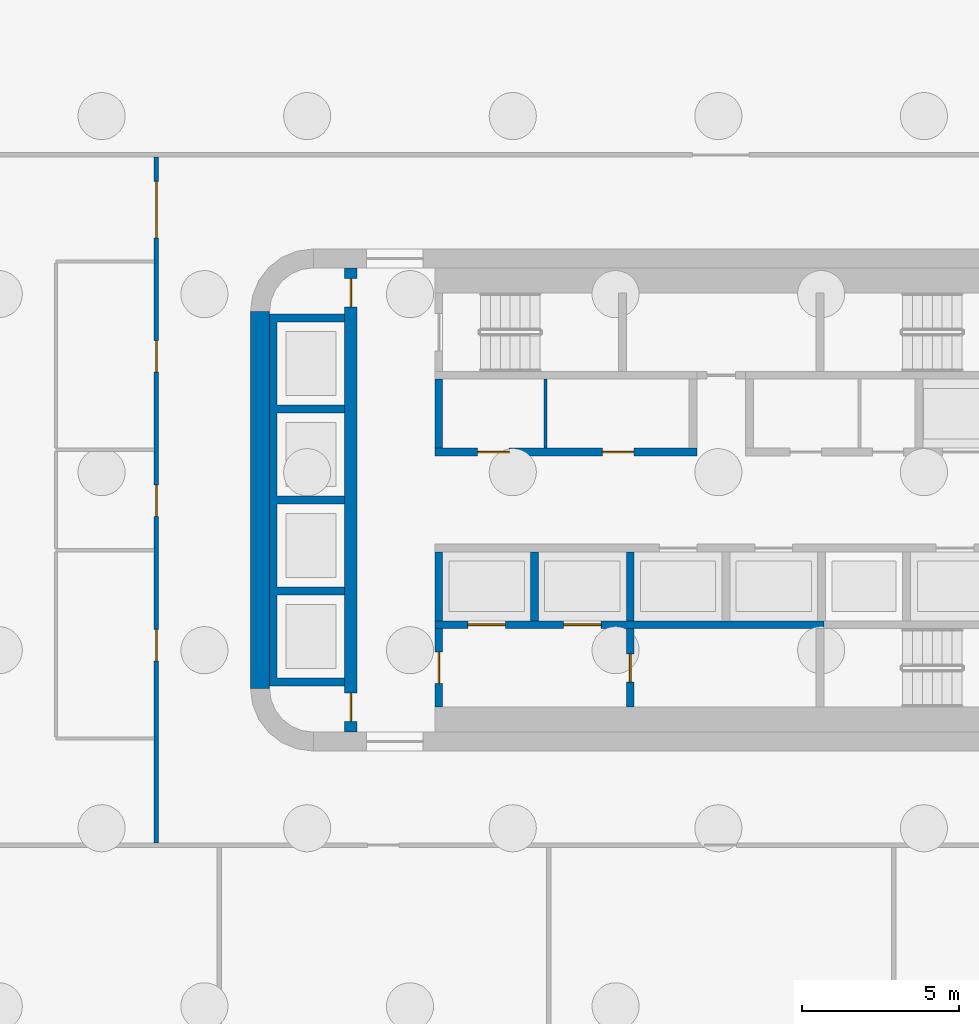
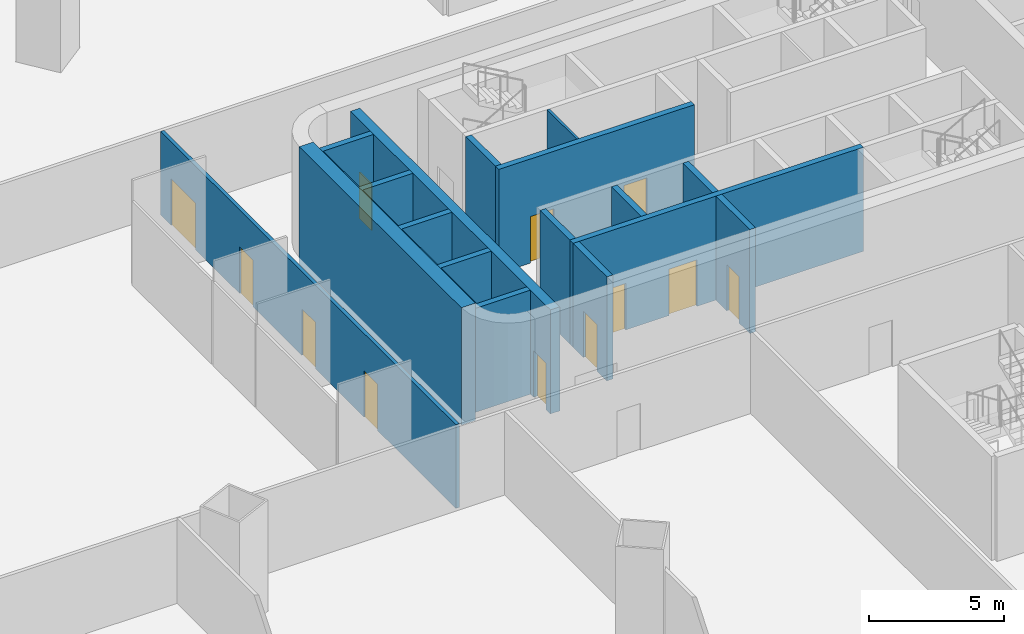
# One storey, part 6 of 19: 13 walls, 12 doors, 12 openings.
"""IFC4 building model written with IfcOpenShell, lengths in metres."""

import ifcopenshell
import ifcopenshell.guid

model = None  # the IFC model being written
_history = None  # IfcOwnerHistory: only IFC2X3 demands one
_inside = {}  # id of a spatial element -> (the spatial element, [elements in it])
_under = {}  # id of a project, library or spatial element -> (it, [spatial elements below it])
_declared = {}  # id of a project -> (the project, [libraries it declares])
_typed = {}  # id of a type object -> (the type object, [elements of that type])
_made_of = {}  # id of a material, layer set ... -> (it, [elements and type objects made of it])


def new_model(schema):
    """Start an empty IFC model of exactly this schema.

    Asked for "IFC4X3", IfcOpenShell would pick the latest addendum, in which some entities
    have other attributes; the version numbers below select the first issue.
    IFC2X3 requires an IfcOwnerHistory on every rooted entity: one is made here for all.
    """
    global model, _history
    if schema == "IFC4X3":
        model = ifcopenshell.file(schema_version=(4, 3, 0, 0))
    else:
        model = ifcopenshell.file(schema=schema)
    _inside.clear()
    _under.clear()
    _declared.clear()
    _typed.clear()
    _made_of.clear()
    _history = None
    if model.schema == "IFC2X3":
        org = make("IfcOrganization", Name="unknown")
        user = make(
            "IfcPersonAndOrganization",
            ThePerson=make("IfcPerson", FamilyName="unknown"),
            TheOrganization=org,
        )
        app = make(
            "IfcApplication",
            ApplicationDeveloper=org,
            Version="unknown",
            ApplicationFullName="unknown",
            ApplicationIdentifier="unknown",
        )
        _history = make(
            "IfcOwnerHistory",
            OwningUser=user,
            OwningApplication=app,
            ChangeAction="ADDED",
            CreationDate=0,
        )
    return model


def make(cls, **values):
    """One entity of the class cls with the attributes given. An attribute that is None is left unset."""
    return model.create_entity(
        cls, **{name: value for name, value in values.items() if value is not None}
    )


def rooted(cls, **values):
    """An entity with a GlobalId (a new one), such as an element, a storey or a relation."""
    return make(cls, GlobalId=ifcopenshell.guid.new(), OwnerHistory=_history, **values)


def si_unit(unit_type, name, prefix=None):
    """IfcSIUnit, for example si_unit("LENGTHUNIT", "METRE", prefix="MILLI")."""
    return make("IfcSIUnit", UnitType=unit_type, Prefix=prefix, Name=name)


def assignment(units):
    """IfcUnitAssignment: the units of a project."""
    return None if units is None else make("IfcUnitAssignment", Units=units)


def point(xyz):
    """IfcCartesianPoint."""
    return None if xyz is None else make("IfcCartesianPoint", Coordinates=xyz)


def direction(xyz):
    """IfcDirection."""
    return None if xyz is None else make("IfcDirection", DirectionRatios=xyz)


def frame(location, z_axis=None, x_axis=None):
    """IfcAxis2Placement3D, a coordinate frame: its origin and axes. An axis left out is left unset."""
    return make(
        "IfcAxis2Placement3D",
        Location=point(location),
        Axis=direction(z_axis),
        RefDirection=direction(x_axis),
    )


def frame_2d(location, x_axis=None):
    """IfcAxis2Placement2D, a coordinate frame in the plane: its origin and x axis."""
    return make(
        "IfcAxis2Placement2D", Location=point(location), RefDirection=direction(x_axis)
    )


def origin():
    """The frame at (0, 0, 0) with its axes left unset."""
    return frame((0.0, 0.0, 0.0))


def place(relative_to, where):
    """IfcLocalPlacement: puts the frame where relative to a parent placement (None: the world)."""
    return make(
        "IfcLocalPlacement", PlacementRelTo=relative_to, RelativePlacement=where
    )


def context(
    kind, dimensions, precision=None, world=None, true_north=None, identifier=None
):
    """IfcGeometricRepresentationContext, for example the 3D "Model" context."""
    return make(
        "IfcGeometricRepresentationContext",
        ContextIdentifier=identifier,
        ContextType=kind,
        CoordinateSpaceDimension=dimensions,
        Precision=precision,
        WorldCoordinateSystem=world,
        TrueNorth=true_north,
    )


def subcontext(parent, identifier, kind, view, scale=None):
    """IfcGeometricRepresentationSubContext, for example "Body" below "Model"."""
    return make(
        "IfcGeometricRepresentationSubContext",
        ContextIdentifier=identifier,
        ContextType=kind,
        ParentContext=parent,
        TargetScale=scale,
        TargetView=view,
    )


def project(units=None, contexts=None):
    """IfcProject with its units and contexts."""
    return rooted(
        "IfcProject",
        Name="project",
        RepresentationContexts=contexts,
        UnitsInContext=assignment(units),
    )


def spatial(cls, under=None, at=None, **own):
    """A site, building, storey or space (cls), placed at a placement, below another one or the project."""
    s = rooted(cls, ObjectPlacement=at, **own)
    if under is not None:
        _under.setdefault(under.id(), (under, []))[1].append(s)
    return s


def polyline(points):
    """IfcPolyline through the points."""
    return make("IfcPolyline", Points=[point(p) for p in points])


def profile(cls, at=None, kind="AREA", **sizes):
    """A parametric profile (cls). Its sizes go by their IFC names, for example OverallWidth=200.0."""
    return make(cls, ProfileType=kind, Position=at, **sizes)


def rectangle(**sizes):
    """IfcRectangleProfileDef."""
    return profile("IfcRectangleProfileDef", **sizes)


def outline(outer, holes=None, kind="AREA"):
    """IfcArbitraryClosedProfileDef: a profile drawn as a closed curve; with holes, ...WithVoids."""
    if holes is None:
        return make("IfcArbitraryClosedProfileDef", ProfileType=kind, OuterCurve=outer)
    return make(
        "IfcArbitraryProfileDefWithVoids",
        ProfileType=kind,
        OuterCurve=outer,
        InnerCurves=holes,
    )


def extrude(swept, where, along, depth):
    """IfcExtrudedAreaSolid: the profile swept, set in the frame where, extruded along a direction by depth."""
    return make(
        "IfcExtrudedAreaSolid",
        SweptArea=swept,
        Position=where,
        ExtrudedDirection=direction(along),
        Depth=depth,
    )


def shape(context_of_items, identifier, shape_type, items):
    """IfcShapeRepresentation: the items that make up one representation, for example the "Body"."""
    return make(
        "IfcShapeRepresentation",
        ContextOfItems=context_of_items,
        RepresentationIdentifier=identifier,
        RepresentationType=shape_type,
        Items=items,
    )


def material(Name=None, Category=None):
    """IfcMaterial."""
    return make("IfcMaterial", Name=Name, Category=Category)


def layer(
    of_material, thickness, ventilated=None, Name=None, Category=None, Priority=None
):
    """IfcMaterialLayer: one layer of a wall or slab, of a material (None: an air gap)."""
    return make(
        "IfcMaterialLayer",
        Material=of_material,
        LayerThickness=thickness,
        IsVentilated=ventilated,
        Name=Name,
        Category=Category,
        Priority=Priority,
    )


def layer_set(layers, Name=None):
    """IfcMaterialLayerSet."""
    return make("IfcMaterialLayerSet", MaterialLayers=layers, LayerSetName=Name)


def made_of(thing, what):
    """Note that an element or type object is made of a material, layer set ...; save() writes the relation."""
    if what is not None:
        _made_of.setdefault(what.id(), (what, []))[1].append(thing)
    return thing


def type_object(cls, material=None, **own):
    """A type object (cls), such as IfcWallType, which elements share."""
    return made_of(rooted(cls, **own), material)


def element(
    cls,
    number,
    at=None,
    inside=None,
    cuts=None,
    type_object=None,
    material=None,
    context=None,
    identifier="Body",
    shape_type=None,
    held_by="IfcProductDefinitionShape",
    body=None,
    shapes=None,
    **own,
):
    """One element of the class cls, such as IfcWall. Its Tag is "e" and its number.

    at: its placement. inside: the storey or other place that contains it. cuts: it is an
    opening in that element (IfcRelVoidsElement). A single representation is given by context,
    identifier, shape_type and body (its items); several are given by shapes. held_by: the class
    of the entity that holds the representations. save() writes the other relations.
    """
    e = rooted(cls, Tag="e%d" % number, ObjectPlacement=at, **own)
    if body is not None:
        shapes = [shape(context, identifier, shape_type, body)]
    if shapes is not None:
        e.Representation = make(held_by, Representations=shapes)
    if inside is not None:
        _inside.setdefault(inside.id(), (inside, []))[1].append(e)
    if cuts is not None:
        rooted(
            "IfcRelVoidsElement", RelatingBuildingElement=cuts, RelatedOpeningElement=e
        )
    if type_object is not None:
        _typed.setdefault(type_object.id(), (type_object, []))[1].append(e)
    return made_of(e, material)


def fill(opening, filler):
    """IfcRelFillsElement: the door or window that sits in an opening."""
    return rooted(
        "IfcRelFillsElement",
        RelatingOpeningElement=opening,
        RelatedBuildingElement=filler,
    )


def aggregate(whole, parts):
    """IfcRelAggregates: a whole, such as a stair, and the parts it consists of."""
    return rooted("IfcRelAggregates", RelatingObject=whole, RelatedObjects=parts)


def save(model, path):
    """Write the relations noted so far, then the file.

    IfcRelAggregates (storeys below a building ...), IfcRelContainedInSpatialStructure (elements
    in a storey), IfcRelDefinesByType, IfcRelAssociatesMaterial and IfcRelDeclares: one each for
    every whole, place, type object, material and project.
    """
    for whole, parts in _under.values():
        aggregate(whole, parts)
    for where, things in _inside.values():
        rooted(
            "IfcRelContainedInSpatialStructure",
            RelatedElements=things,
            RelatingStructure=where,
        )
    for kind, things in _typed.values():
        rooted("IfcRelDefinesByType", RelatedObjects=things, RelatingType=kind)
    for what, things in _made_of.values():
        rooted("IfcRelAssociatesMaterial", RelatedObjects=things, RelatingMaterial=what)
    for by, libraries in _declared.values():
        rooted("IfcRelDeclares", RelatingContext=by, RelatedDefinitions=libraries)
    model.write(path)


model = new_model("IFC4")

# Units and contexts
model_context = context("Model", 3, precision=1e-05, world=origin(), true_north=direction((0.0, 1.0)))
body_context = subcontext(model_context, "Body", "Model", "MODEL_VIEW")
ifc_project = project(units=[si_unit("LENGTHUNIT", "METRE"), si_unit("AREAUNIT", "SQUARE_METRE"), si_unit("VOLUMEUNIT", "CUBIC_METRE"), si_unit("PLANEANGLEUNIT", "RADIAN"), si_unit("MASSUNIT", "GRAM", prefix="KILO")], contexts=[model_context])

# Site, building, storey
site_placement = place(None, origin())
site = spatial("IfcSite", under=ifc_project, at=site_placement, CompositionType="ELEMENT")
building_placement = place(site_placement, origin())
building = spatial("IfcBuilding", under=site, at=building_placement, Name="Sahrelin Media Tower", CompositionType="ELEMENT")
storey_placement = place(building_placement, frame((0.0, 0.0, -5.0)))
storey = spatial("IfcBuildingStorey", under=building, at=storey_placement, Name="B1", CompositionType="ELEMENT", Elevation=-5.0)

# Wall
ifc_material_1 = material(Name="Concrete C60/75", Category="concrete")
ifc_layer_1 = layer(ifc_material_1, 0.60009765625)
ifc_layer_set_1 = layer_set([ifc_layer_1], Name="Core wall 600")
wall_type_1 = type_object("IfcWallType", Name="Core wall 600", PredefinedType="SHEAR", material=ifc_layer_set_1)
wall_1_placement = place(storey_placement, frame((-14.699951171875, -6.0, -0.300048828125), z_axis=(0.0, 0.0, 1.0), x_axis=(0.0, 1.0, 0.0)))
element("IfcWall", 1, at=wall_1_placement, inside=storey, type_object=wall_type_1, Name="Core wall W B1", PredefinedType="SHEAR", context=body_context, shape_type="SweptSolid", body=[
    extrude(rectangle(XDim=12.0, YDim=0.60009765625, at=frame_2d((6.0, 0.0))), origin(), (0.0, 0.0, 1.0), 5.300048828125),
])

# Wall, openings, doors
ifc_material_2 = material(Name="Fire-rated gypsum board partition")
ifc_layer_2 = layer(ifc_material_2, 0.25)
ifc_layer_set_2 = layer_set([ifc_layer_2], Name="Fire-rated lobby wall 250")
wall_type_2 = type_object("IfcWallType", Name="Fire-rated lobby wall 250", PredefinedType="PARTITIONING", material=ifc_layer_set_2)
wall_2_placement = place(storey_placement, frame((-9.125, 1.52490234375, 0.0), z_axis=(0.0, 0.0, 1.0), x_axis=(1.0, 0.0, 0.0)))
wall_2 = element("IfcWall", 2, at=wall_2_placement, inside=storey, type_object=wall_type_2, Name="Core lobby wall", PredefinedType="PARTITIONING", context=body_context, shape_type="SweptSolid", body=[
    extrude(rectangle(XDim=8.35009765625, YDim=0.25, at=frame_2d((4.175048828125, 0.0))), origin(), (0.0, 0.0, 1.0), 4.699951171875),
])
opening_1_placement = place(wall_2_placement, frame((1.362548828125, 0.0, 0.0)))
opening_1 = element("IfcOpeningElement", 3, at=opening_1_placement, cuts=wall_2, Name="Opening B1-D07", PredefinedType="OPENING", context=body_context, shape_type="SweptSolid", body=[
    extrude(rectangle(XDim=1.0, YDim=2.10009765625, at=frame_2d((0.5, 1.050048828125))), frame((0.0, 0.125, 0.0), z_axis=(0.0, -1.0, 0.0), x_axis=(1.0, 0.0, 0.0)), (0.0, 0.0, 1.0), 0.25),
])
opening_2_placement = place(wall_2_placement, frame((5.33740234375, 0.0, 0.0)))
opening_2 = element("IfcOpeningElement", 4, at=opening_2_placement, cuts=wall_2, Name="Opening B1-D08", PredefinedType="OPENING", context=body_context, shape_type="SweptSolid", body=[
    extrude(rectangle(XDim=1.0, YDim=2.10009765625, at=frame_2d((0.5, 1.050048828125))), frame((0.0, 0.125, 0.0), z_axis=(0.0, -1.0, 0.0), x_axis=(1.0, 0.0, 0.0)), (0.0, 0.0, 1.0), 0.25),
])
ifc_material_3 = material(Name="Steel fire door leaf", Category="steel")
door_type_1 = type_object("IfcDoorType", Name="Fire door 1000 x 2100 EI 60", OperationType="NOTDEFINED", PredefinedType="DOOR", material=ifc_material_3)
door_1_placement = place(opening_1_placement, origin())
door_1 = element("IfcDoor", 5, at=door_1_placement, inside=storey, type_object=door_type_1, Name="Core room door", OperationType="SINGLE_SWING_LEFT", OverallHeight=2.10009765625, OverallWidth=1.0, PredefinedType="DOOR", context=body_context, shape_type="SweptSolid", body=[
    extrude(rectangle(XDim=1.0, YDim=2.10009765625, at=frame_2d((0.5, 1.050048828125))), frame((0.0, 0.02490234375, 0.0), z_axis=(0.0, -1.0, 0.0), x_axis=(1.0, 0.0, 0.0)), (0.0, 0.0, 1.0), 0.050048828125),
])
fill(opening_1, door_1)
door_2_placement = place(opening_2_placement, origin())
door_2 = element("IfcDoor", 6, at=door_2_placement, inside=storey, type_object=door_type_1, Name="Core room door", OperationType="SINGLE_SWING_LEFT", OverallHeight=2.10009765625, OverallWidth=1.0, PredefinedType="DOOR", context=body_context, shape_type="SweptSolid", body=[
    extrude(rectangle(XDim=1.0, YDim=2.10009765625, at=frame_2d((0.5, 1.050048828125))), frame((0.0, 0.02490234375, 0.0), z_axis=(0.0, -1.0, 0.0), x_axis=(1.0, 0.0, 0.0)), (0.0, 0.0, 1.0), 0.050048828125),
])
fill(opening_2, door_2)

# Walls
wall_3_placement = place(storey_placement, frame((-9.0, 1.64990234375, 0.0), z_axis=(0.0, 0.0, 1.0), x_axis=(0.0, 1.0, 0.0)))
element("IfcWall", 7, at=wall_3_placement, inside=storey, type_object=wall_type_2, Name="Core lobby wall", PredefinedType="PARTITIONING", context=body_context, shape_type="SweptSolid", body=[
    extrude(rectangle(XDim=2.2001953125, YDim=0.25, at=frame_2d((1.10009765625, 0.0))), origin(), (0.0, 0.0, 1.0), 4.699951171875),
])
ifc_layer_3 = layer(ifc_material_2, 0.10009765625)
ifc_layer_set_3 = layer_set([ifc_layer_3], Name="Fire-rated partition 100")
wall_type_3 = type_object("IfcWallType", Name="Fire-rated partition 100", PredefinedType="PARTITIONING", material=ifc_layer_set_3)
wall_4_placement = place(storey_placement, frame((-5.60009765625, 1.64990234375, 0.0), z_axis=(0.0, 0.0, 1.0), x_axis=(0.0, 1.0, 0.0)))
element("IfcWall", 8, at=wall_4_placement, inside=storey, type_object=wall_type_3, Name="Core room partition", PredefinedType="PARTITIONING", context=body_context, shape_type="SweptSolid", body=[
    extrude(rectangle(XDim=2.2001953125, YDim=0.10009765625, at=frame_2d((1.10009765625, 0.0))), origin(), (0.0, 0.0, 1.0), 4.699951171875),
])

# Wall, openings, doors
ifc_layer_4 = layer(ifc_material_2, 0.14990234375)
ifc_layer_set_4 = layer_set([ifc_layer_4], Name="Fire-rated partition 150")
wall_type_4 = type_object("IfcWallType", Name="Fire-rated partition 150", PredefinedType="PARTITIONING", material=ifc_layer_set_4)
wall_5_placement = place(storey_placement, frame((-18.0, -10.925048828125, 0.0), z_axis=(0.0, 0.0, 1.0), x_axis=(0.0, 1.0, 0.0)))
wall_5 = element("IfcWall", 9, at=wall_5_placement, inside=storey, type_object=wall_type_4, Name="Wall", PredefinedType="PARTITIONING", context=body_context, shape_type="SweptSolid", body=[
    extrude(rectangle(XDim=21.85009765625, YDim=0.14990234375, at=frame_2d((10.925048828125, 0.0))), origin(), (0.0, 0.0, 1.0), 3.777099609375),
])
opening_3_placement = place(wall_5_placement, frame((19.27490234375, 0.0, 0.0)))
opening_3 = element("IfcOpeningElement", 10, at=opening_3_placement, cuts=wall_5, Name="Opening B1-D35", PredefinedType="OPENING", context=body_context, shape_type="SweptSolid", body=[
    extrude(rectangle(XDim=1.800048828125, YDim=2.10009765625, at=frame_2d((0.89990234375, 1.050048828125))), frame((0.0, 0.074951171875, 0.0), z_axis=(0.0, -1.0, 0.0), x_axis=(1.0, 0.0, 0.0)), (0.0, 0.0, 1.0), 0.14990234375),
])
opening_4_placement = place(wall_5_placement, frame((5.800048828125, 0.0, 0.0)))
opening_4 = element("IfcOpeningElement", 11, at=opening_4_placement, cuts=wall_5, Name="Opening B1-D37", PredefinedType="OPENING", context=body_context, shape_type="SweptSolid", body=[
    extrude(rectangle(XDim=1.0, YDim=2.10009765625, at=frame_2d((0.5, 1.050048828125))), frame((0.0, 0.074951171875, 0.0), z_axis=(0.0, -1.0, 0.0), x_axis=(1.0, 0.0, 0.0)), (0.0, 0.0, 1.0), 0.14990234375),
])
opening_5_placement = place(wall_5_placement, frame((10.39990234375, 0.0, 0.0)))
opening_5 = element("IfcOpeningElement", 12, at=opening_5_placement, cuts=wall_5, Name="Opening B1-D38", PredefinedType="OPENING", context=body_context, shape_type="SweptSolid", body=[
    extrude(rectangle(XDim=1.0, YDim=2.10009765625, at=frame_2d((0.5, 1.050048828125))), frame((0.0, 0.074951171875, 0.0), z_axis=(0.0, -1.0, 0.0), x_axis=(1.0, 0.0, 0.0)), (0.0, 0.0, 1.0), 0.14990234375),
])
opening_6_placement = place(wall_5_placement, frame((15.0, 0.0, 0.0)))
opening_6 = element("IfcOpeningElement", 13, at=opening_6_placement, cuts=wall_5, Name="Opening B1-D39", PredefinedType="OPENING", context=body_context, shape_type="SweptSolid", body=[
    extrude(rectangle(XDim=1.0, YDim=2.10009765625, at=frame_2d((0.5, 1.050048828125))), frame((0.0, 0.074951171875, 0.0), z_axis=(0.0, -1.0, 0.0), x_axis=(1.0, 0.0, 0.0)), (0.0, 0.0, 1.0), 0.14990234375),
])
door_3_placement = place(opening_4_placement, origin())
door_3 = element("IfcDoor", 14, at=door_3_placement, inside=storey, type_object=door_type_1, Name="Fire door", OperationType="SINGLE_SWING_LEFT", OverallHeight=2.10009765625, OverallWidth=1.0, PredefinedType="DOOR", context=body_context, shape_type="SweptSolid", body=[
    extrude(rectangle(XDim=1.0, YDim=2.10009765625, at=frame_2d((0.5, 1.050048828125))), frame((0.0, 0.02490234375, 0.0), z_axis=(0.0, -1.0, 0.0), x_axis=(1.0, 0.0, 0.0)), (0.0, 0.0, 1.0), 0.050048828125),
])
fill(opening_4, door_3)
door_4_placement = place(opening_5_placement, origin())
door_4 = element("IfcDoor", 15, at=door_4_placement, inside=storey, type_object=door_type_1, Name="Fire door", OperationType="SINGLE_SWING_LEFT", OverallHeight=2.10009765625, OverallWidth=1.0, PredefinedType="DOOR", context=body_context, shape_type="SweptSolid", body=[
    extrude(rectangle(XDim=1.0, YDim=2.10009765625, at=frame_2d((0.5, 1.050048828125))), frame((0.0, 0.02490234375, 0.0), z_axis=(0.0, -1.0, 0.0), x_axis=(1.0, 0.0, 0.0)), (0.0, 0.0, 1.0), 0.050048828125),
])
fill(opening_5, door_4)
door_5_placement = place(opening_6_placement, origin())
door_5 = element("IfcDoor", 16, at=door_5_placement, inside=storey, type_object=door_type_1, Name="Fire door", OperationType="SINGLE_SWING_RIGHT", OverallHeight=2.10009765625, OverallWidth=1.0, PredefinedType="DOOR", context=body_context, shape_type="SweptSolid", body=[
    extrude(rectangle(XDim=1.0, YDim=2.10009765625, at=frame_2d((0.5, 1.050048828125))), frame((0.0, 0.02490234375, 0.0), z_axis=(0.0, -1.0, 0.0), x_axis=(1.0, 0.0, 0.0)), (0.0, 0.0, 1.0), 0.050048828125),
])
fill(opening_6, door_5)
door_type_2 = type_object("IfcDoorType", Name="Service double door 1800 x 2100 EI 60", OperationType="DOUBLE_DOOR_SINGLE_SWING", PredefinedType="DOOR", material=ifc_material_3)
door_6_placement = place(opening_3_placement, origin())
door_6 = element("IfcDoor", 17, at=door_6_placement, inside=storey, type_object=door_type_2, Name="Service double door", OperationType="DOUBLE_DOOR_SINGLE_SWING", OverallHeight=2.10009765625, OverallWidth=1.800048828125, PredefinedType="DOOR", context=body_context, shape_type="SweptSolid", body=[
    extrude(rectangle(XDim=1.800048828125, YDim=2.10009765625, at=frame_2d((0.89990234375, 1.050048828125))), frame((0.0, 0.02490234375, 0.0), z_axis=(0.0, -1.0, 0.0), x_axis=(1.0, 0.0, 0.0)), (0.0, 0.0, 1.0), 0.050048828125),
])
fill(opening_3, door_6)

# Wall, opening, door
ifc_layer_5 = layer(ifc_material_2, 0.25)
ifc_layer_set_5 = layer_set([ifc_layer_5], Name="Firefighting lobby wall 250")
wall_type_5 = type_object("IfcWallType", Name="Firefighting lobby wall 250", PredefinedType="PARTITIONING", material=ifc_layer_set_5)
wall_6_placement = place(storey_placement, frame((-9.0, -6.60009765625, 0.0), z_axis=(0.0, 0.0, 1.0), x_axis=(0.0, 1.0, 0.0)))
wall_6 = element("IfcWall", 18, at=wall_6_placement, inside=storey, type_object=wall_type_5, Name="Core wall", PredefinedType="PARTITIONING", context=body_context, shape_type="SweptSolid", body=[
    extrude(rectangle(XDim=2.5, YDim=0.25, at=frame_2d((1.25, 0.0))), origin(), (0.0, 0.0, 1.0), 4.699951171875),
])
opening_7_placement = place(wall_6_placement, frame((0.75, 0.0, 0.0)))
opening_7 = element("IfcOpeningElement", 19, at=opening_7_placement, cuts=wall_6, Name="Opening B1-D04", PredefinedType="OPENING", context=body_context, shape_type="SweptSolid", body=[
    extrude(rectangle(XDim=1.0, YDim=2.10009765625, at=frame_2d((0.5, 1.050048828125))), frame((0.0, 0.125, 0.0), z_axis=(0.0, -1.0, 0.0), x_axis=(1.0, 0.0, 0.0)), (0.0, 0.0, 1.0), 0.25),
])
door_type_3 = type_object("IfcDoorType", Name="Firefighting lobby door 1000 x 2100 EI 120", OperationType="NOTDEFINED", PredefinedType="DOOR", material=ifc_material_3)
door_7_placement = place(opening_7_placement, origin())
door_7 = element("IfcDoor", 20, at=door_7_placement, inside=storey, type_object=door_type_3, Name="Firefighting lobby door", OperationType="SINGLE_SWING_LEFT", OverallHeight=2.10009765625, OverallWidth=1.0, PredefinedType="DOOR", context=body_context, shape_type="SweptSolid", body=[
    extrude(rectangle(XDim=1.0, YDim=2.10009765625, at=frame_2d((0.5, 1.050048828125))), frame((0.0, 0.02490234375, 0.0), z_axis=(0.0, -1.0, 0.0), x_axis=(1.0, 0.0, 0.0)), (0.0, 0.0, 1.0), 0.050048828125),
])
fill(opening_7, door_7)

wall_7_placement = place(storey_placement, frame((-2.89990234375, -6.60009765625, 0.0), z_axis=(0.0, 0.0, 1.0), x_axis=(0.0, 1.0, 0.0)))
wall_7 = element("IfcWall", 21, at=wall_7_placement, inside=storey, type_object=wall_type_5, Name="Core wall", PredefinedType="PARTITIONING", context=body_context, shape_type="SweptSolid", body=[
    extrude(rectangle(XDim=2.5, YDim=0.25, at=frame_2d((1.25, 0.0))), origin(), (0.0, 0.0, 1.0), 4.699951171875),
])
opening_8_placement = place(wall_7_placement, frame((0.800048828125, 0.0, 0.0)))
opening_8 = element("IfcOpeningElement", 22, at=opening_8_placement, cuts=wall_7, Name="Opening B1-D05", PredefinedType="OPENING", context=body_context, shape_type="SweptSolid", body=[
    extrude(rectangle(XDim=0.89990234375, YDim=2.10009765625, at=frame_2d((0.449951171875, 1.050048828125))), frame((0.0, 0.125, 0.0), z_axis=(0.0, -1.0, 0.0), x_axis=(1.0, 0.0, 0.0)), (0.0, 0.0, 1.0), 0.25),
])
door_type_4 = type_object("IfcDoorType", Name="Firefighting lobby door 900 x 2100 EI 120", OperationType="NOTDEFINED", PredefinedType="DOOR", material=ifc_material_3)
door_8_placement = place(opening_8_placement, origin())
door_8 = element("IfcDoor", 23, at=door_8_placement, inside=storey, type_object=door_type_4, Name="Riser door", OperationType="SINGLE_SWING_RIGHT", OverallHeight=2.10009765625, OverallWidth=0.89990234375, PredefinedType="DOOR", context=body_context, shape_type="SweptSolid", body=[
    extrude(rectangle(XDim=0.89990234375, YDim=2.10009765625, at=frame_2d((0.449951171875, 1.050048828125))), frame((0.0, 0.02490234375, 0.0), z_axis=(0.0, -1.0, 0.0), x_axis=(1.0, 0.0, 0.0)), (0.0, 0.0, 1.0), 0.050048828125),
])
fill(opening_8, door_8)

# Wall, openings, doors
ifc_layer_6 = layer(ifc_material_1, 0.25)
ifc_layer_set_6 = layer_set([ifc_layer_6], Name="Lift shaft wall 250")
wall_type_6 = type_object("IfcWallType", Name="Lift shaft wall 250", PredefinedType="SOLIDWALL", material=ifc_layer_set_6)
wall_8_placement = place(storey_placement, frame((-9.125, -3.97509765625, 0.0), z_axis=(0.0, 0.0, 1.0), x_axis=(1.0, 0.0, 0.0)))
wall_8 = element("IfcWall", 24, at=wall_8_placement, inside=storey, type_object=wall_type_6, Name="Lift shaft wall", PredefinedType="SOLIDWALL", context=body_context, shape_type="SweptSolid", body=[
    extrude(rectangle(XDim=12.39990234375, YDim=0.25, at=frame_2d((6.199951171875, 0.0))), origin(), (0.0, 0.0, 1.0), 4.699951171875),
])
opening_9_placement = place(wall_8_placement, frame((1.050048828125, 0.0, 0.0)))
opening_9 = element("IfcOpeningElement", 25, at=opening_9_placement, cuts=wall_8, Name="Opening B1-LD-FF1", PredefinedType="OPENING", context=body_context, shape_type="SweptSolid", body=[
    extrude(rectangle(XDim=1.199951171875, YDim=2.10009765625, at=frame_2d((0.60009765625, 1.050048828125))), frame((0.0, 0.125, 0.0), z_axis=(0.0, -1.0, 0.0), x_axis=(1.0, 0.0, 0.0)), (0.0, 0.0, 1.0), 0.25),
])
opening_10_placement = place(wall_8_placement, frame((4.10009765625, 0.0, 0.0)))
opening_10 = element("IfcOpeningElement", 26, at=opening_10_placement, cuts=wall_8, Name="Opening B1-LD-FF2", PredefinedType="OPENING", context=body_context, shape_type="SweptSolid", body=[
    extrude(rectangle(XDim=1.199951171875, YDim=2.10009765625, at=frame_2d((0.60009765625, 1.050048828125))), frame((0.0, 0.125, 0.0), z_axis=(0.0, -1.0, 0.0), x_axis=(1.0, 0.0, 0.0)), (0.0, 0.0, 1.0), 0.25),
])
ifc_material_4 = material(Name="Stainless steel", Category="steel")
door_type_5 = type_object("IfcDoorType", Name="Lift landing door 1200 x 2100 EI 120", OperationType="DOUBLE_DOOR_SLIDING", PredefinedType="DOOR", material=ifc_material_4)
door_9_placement = place(opening_9_placement, origin())
door_9 = element("IfcDoor", 27, at=door_9_placement, inside=storey, type_object=door_type_5, Name="Lift landing door FF1", OperationType="DOUBLE_DOOR_SLIDING", OverallHeight=2.10009765625, OverallWidth=1.199951171875, PredefinedType="DOOR", context=body_context, shape_type="SweptSolid", body=[
    extrude(rectangle(XDim=1.199951171875, YDim=2.10009765625, at=frame_2d((0.60009765625, 1.050048828125))), frame((0.0, 0.02490234375, 0.0), z_axis=(0.0, -1.0, 0.0), x_axis=(1.0, 0.0, 0.0)), (0.0, 0.0, 1.0), 0.050048828125),
])
fill(opening_9, door_9)
door_10_placement = place(opening_10_placement, origin())
door_10 = element("IfcDoor", 28, at=door_10_placement, inside=storey, type_object=door_type_5, Name="Lift landing door FF2", OperationType="DOUBLE_DOOR_SLIDING", OverallHeight=2.10009765625, OverallWidth=1.199951171875, PredefinedType="DOOR", context=body_context, shape_type="SweptSolid", body=[
    extrude(rectangle(XDim=1.199951171875, YDim=2.10009765625, at=frame_2d((0.60009765625, 1.050048828125))), frame((0.0, 0.02490234375, 0.0), z_axis=(0.0, -1.0, 0.0), x_axis=(1.0, 0.0, 0.0)), (0.0, 0.0, 1.0), 0.050048828125),
])
fill(opening_10, door_10)

# Walls
for number, where, z_axis, x_axis, name in (
    (29, (-9.0, -3.85009765625, 0.0), (0.0, 0.0, 1.0), (0.0, 1.0, 0.0), "Lift shaft wall"),
    (30, (-5.949951171875, -3.85009765625, 0.0), (0.0, 0.0, 1.0), (0.0, 1.0, 0.0), "Lift shaft wall"),
    (31, (-2.89990234375, -3.85009765625, 0.0), (0.0, 0.0, 1.0), (0.0, 1.0, 0.0), "Lift shaft wall"),
):
    element("IfcWall", number, at=place(storey_placement, frame(where, z_axis=z_axis, x_axis=x_axis)), inside=storey, type_object=wall_type_6, Name=name, PredefinedType="SOLIDWALL", context=body_context, shape_type="SweptSolid", body=[
        extrude(rectangle(XDim=2.2001953125, YDim=0.25, at=frame_2d((1.10009765625, 0.0))), origin(), (0.0, 0.0, 1.0), 4.699951171875),
    ])
wall_9_placement = place(storey_placement, origin())
element("IfcWall", 32, at=wall_9_placement, inside=storey, type_object=wall_type_6, Name="Lift shaft wall", PredefinedType="SOLIDWALL", context=body_context, shape_type="SweptSolid", body=[
    extrude(outline(polyline([(-12.0, -5.925048828125), (-12.0, -5.675048828125), (-14.14990234375, -5.675048828125), (-14.14990234375, -3.02490234375), (-12.0, -3.02490234375), (-12.0, -2.77490234375), (-14.14990234375, -2.77490234375), (-14.14990234375, -0.125), (-12.0, -0.125), (-12.0, 0.125), (-14.14990234375, 0.125), (-14.14990234375, 2.77490234375), (-12.0, 2.77490234375), (-12.0, 3.02490234375), (-14.14990234375, 3.02490234375), (-14.14990234375, 5.675048828125), (-12.0, 5.675048828125), (-12.0, 5.925048828125), (-14.14990234375, 5.925048828125), (-14.39990234375, 5.925048828125), (-14.39990234375, 5.675048828125), (-14.39990234375, 3.02490234375), (-14.39990234375, 2.77490234375), (-14.39990234375, 0.125), (-14.39990234375, -0.125), (-14.39990234375, -2.77490234375), (-14.39990234375, -3.02490234375), (-14.39990234375, -5.675048828125), (-14.39990234375, -5.925048828125), (-14.14990234375, -5.925048828125), (-12.0, -5.925048828125)])), origin(), (0.0, 0.0, 1.0), 4.699951171875),
])

# Wall, openings, doors
ifc_layer_7 = layer(ifc_material_1, 0.39990234375)
ifc_layer_set_7 = layer_set([ifc_layer_7], Name="Lift shaft wall 400")
wall_type_7 = type_object("IfcWallType", Name="Lift shaft wall 400", PredefinedType="SOLIDWALL", material=ifc_layer_set_7)
wall_10_placement = place(storey_placement, frame((-11.800048828125, -7.39990234375, 0.0), z_axis=(0.0, 0.0, 1.0), x_axis=(0.0, 1.0, 0.0)))
wall_10 = element("IfcWall", 33, at=wall_10_placement, inside=storey, type_object=wall_type_7, Name="Lift shaft wall", PredefinedType="SOLIDWALL", context=body_context, shape_type="SweptSolid", body=[
    extrude(rectangle(XDim=14.7998046875, YDim=0.39990234375, at=frame_2d((7.39990234375, 0.0))), origin(), (0.0, 0.0, 1.0), 4.699951171875),
])
opening_11_placement = place(wall_10_placement, frame((13.552490234375, 0.0, 0.0)))
opening_11 = element("IfcOpeningElement", 34, at=opening_11_placement, cuts=wall_10, Name="Opening B1-D11", PredefinedType="OPENING", context=body_context, shape_type="SweptSolid", body=[
    extrude(rectangle(XDim=0.89990234375, YDim=2.10009765625, at=frame_2d((0.449951171875, 1.050048828125))), frame((0.0, 0.199951171875, 0.0), z_axis=(0.0, -1.0, 0.0), x_axis=(1.0, 0.0, 0.0)), (0.0, 0.0, 1.0), 0.39990234375),
])
opening_12_placement = place(wall_10_placement, frame((0.347412109375, 0.0, 0.0)))
opening_12 = element("IfcOpeningElement", 35, at=opening_12_placement, cuts=wall_10, Name="Opening B1-D12", PredefinedType="OPENING", context=body_context, shape_type="SweptSolid", body=[
    extrude(rectangle(XDim=0.89990234375, YDim=2.10009765625, at=frame_2d((0.449951171875, 1.050048828125))), frame((0.0, 0.199951171875, 0.0), z_axis=(0.0, -1.0, 0.0), x_axis=(1.0, 0.0, 0.0)), (0.0, 0.0, 1.0), 0.39990234375),
])
door_type_6 = type_object("IfcDoorType", Name="Riser door 900 x 2100 EI 120", OperationType="NOTDEFINED", PredefinedType="DOOR", material=ifc_material_3)
door_11_placement = place(opening_11_placement, origin())
door_11 = element("IfcDoor", 36, at=door_11_placement, inside=storey, type_object=door_type_6, Name="Riser door", OperationType="SINGLE_SWING_LEFT", OverallHeight=2.10009765625, OverallWidth=0.89990234375, PredefinedType="DOOR", context=body_context, shape_type="SweptSolid", body=[
    extrude(rectangle(XDim=0.89990234375, YDim=2.10009765625, at=frame_2d((0.449951171875, 1.050048828125))), frame((0.0, 0.02490234375, 0.0), z_axis=(0.0, -1.0, 0.0), x_axis=(1.0, 0.0, 0.0)), (0.0, 0.0, 1.0), 0.050048828125),
])
fill(opening_11, door_11)
door_12_placement = place(opening_12_placement, origin())
door_12 = element("IfcDoor", 37, at=door_12_placement, inside=storey, type_object=door_type_6, Name="Riser door", OperationType="SINGLE_SWING_LEFT", OverallHeight=2.10009765625, OverallWidth=0.89990234375, PredefinedType="DOOR", context=body_context, shape_type="SweptSolid", body=[
    extrude(rectangle(XDim=0.89990234375, YDim=2.10009765625, at=frame_2d((0.449951171875, 1.050048828125))), frame((0.0, 0.02490234375, 0.0), z_axis=(0.0, -1.0, 0.0), x_axis=(1.0, 0.0, 0.0)), (0.0, 0.0, 1.0), 0.050048828125),
])
fill(opening_12, door_12)

save(model, "model.ifc")
